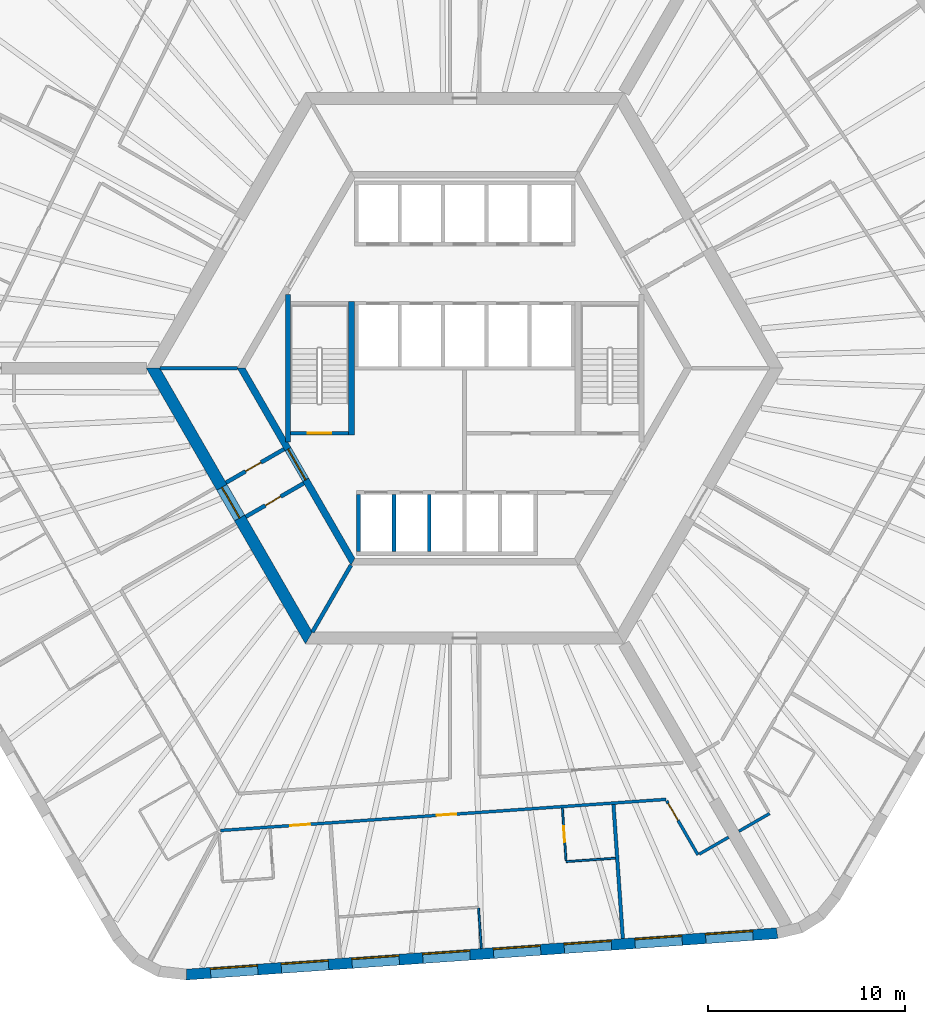
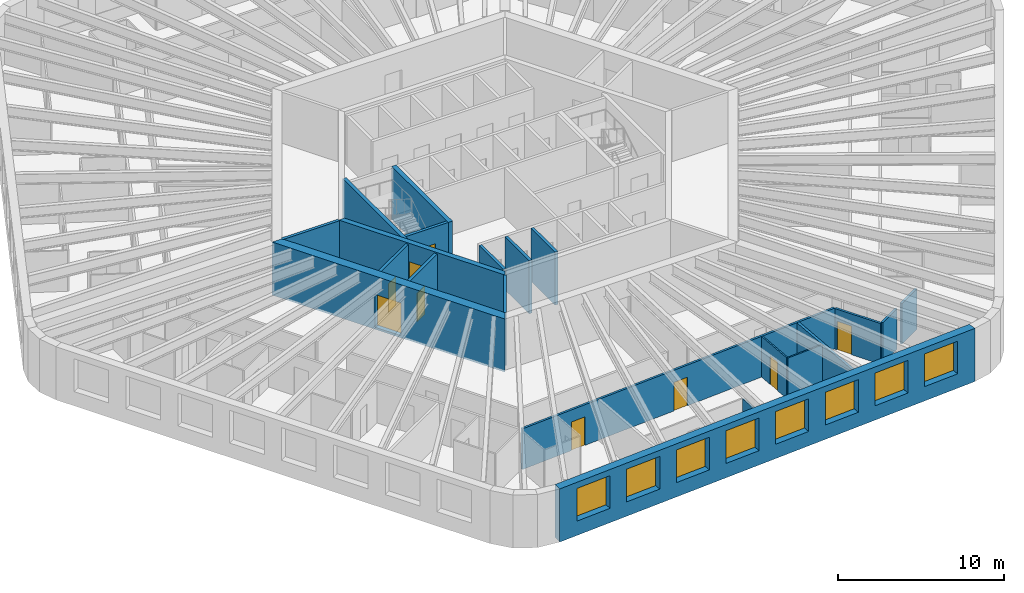
# One storey, part 4 of 12: 21 walls, 9 doors, 8 windows, 17 openings.
"""IFC4 building model written with IfcOpenShell, lengths in metres."""

from ifc_helpers import new_model, si_unit, direction, frame, frame_2d, origin, place, context, subcontext, project, spatial, polyline, rectangle, outline, extrude, material, layer, layer_set, type_object, element, fill, save


model = new_model("IFC4")

# Units and contexts
model_context = context("Model", 3, precision=1e-05, world=origin(), true_north=direction((0.0, 1.0)))
body_context = subcontext(model_context, "Body", "Model", "MODEL_VIEW")
ifc_project = project(units=[si_unit("LENGTHUNIT", "METRE"), si_unit("AREAUNIT", "SQUARE_METRE"), si_unit("VOLUMEUNIT", "CUBIC_METRE"), si_unit("PLANEANGLEUNIT", "RADIAN"), si_unit("MASSUNIT", "GRAM", prefix="KILO")], contexts=[model_context])

# Site, building, storey
site_placement = place(None, origin())
site = spatial("IfcSite", under=ifc_project, at=site_placement, CompositionType="ELEMENT")
building_placement = place(site_placement, origin())
building = spatial("IfcBuilding", under=site, at=building_placement, Name="Tarnside Tower", CompositionType="ELEMENT")
storey_placement = place(building_placement, frame((0.0, 0.0, 57.0)))
storey = spatial("IfcBuildingStorey", under=building, at=storey_placement, Name="L11", CompositionType="ELEMENT", Elevation=57.0)

# Wall
ifc_material_1 = material(Name="Gypsum board partition on steel studs", Category="steel")
ifc_layer_1 = layer(ifc_material_1, 0.10009765625)
ifc_layer_set_1 = layer_set([ifc_layer_1], Name="Bathroom wall 100")
wall_type_1 = type_object("IfcWallType", Name="Bathroom wall 100", PredefinedType="PARTITIONING", material=ifc_layer_set_1)
wall_1_placement = place(storey_placement, frame((7.65283203125, -24.876708984375, 0.0), z_axis=(0.0, 0.0, 1.0), x_axis=(-0.997565196586, -0.069740078583, 0.0)))
element("IfcWall", 1, at=wall_1_placement, inside=storey, type_object=wall_type_1, Name="Bathroom wall 02122", PredefinedType="PARTITIONING", context=body_context, shape_type="SweptSolid", body=[
    extrude(rectangle(XDim=2.510009765625, YDim=0.10009765625, at=frame_2d((1.2548828125, 0.0))), origin(), (0.0, 0.0, 1.0), 2.98779296875),
])

# Wall, opening, door
wall_2_placement = place(storey_placement, frame((5.1455078125, -25.001953125, 0.0), z_axis=(0.0, 0.0, 1.0), x_axis=(-0.069729221413, 0.997565955554, 0.0)))
wall_2 = element("IfcWall", 2, at=wall_2_placement, inside=storey, type_object=wall_type_1, Name="Bathroom wall 02123", PredefinedType="PARTITIONING", context=body_context, shape_type="SweptSolid", body=[
    extrude(rectangle(XDim=2.675048828125, YDim=0.10009765625, at=frame_2d((1.33740234375, 0.0))), origin(), (0.0, 0.0, 1.0), 2.98779296875),
])
opening_1_placement = place(wall_2_placement, frame((0.949951171875, 0.0, 0.0)))
opening_1 = element("IfcOpeningElement", 3, at=opening_1_placement, cuts=wall_2, Name="Opening D-B1", PredefinedType="OPENING", context=body_context, shape_type="SweptSolid", body=[
    extrude(rectangle(XDim=0.800048828125, YDim=2.10009765625, at=frame_2d((0.39990234375, 1.050048828125))), frame((0.0, 0.06005859375, 0.0), z_axis=(0.0, -1.0, 0.0), x_axis=(1.0, 0.0, 0.0)), (0.0, 0.0, 1.0), 0.1201171875),
])
ifc_material_2 = material(Name="Timber door leaf", Category="wood")
door_type_1 = type_object("IfcDoorType", Name="Bathroom door 800", OperationType="NOTDEFINED", PredefinedType="DOOR", material=ifc_material_2)
door_1_placement = place(opening_1_placement, origin())
door_1 = element("IfcDoor", 4, at=door_1_placement, inside=storey, type_object=door_type_1, Name="Bathroom door 02025", OperationType="SINGLE_SWING_RIGHT", OverallHeight=2.10009765625, OverallWidth=0.800048828125, PredefinedType="DOOR", context=body_context, shape_type="SweptSolid", body=[
    extrude(rectangle(XDim=0.800048828125, YDim=2.10009765625, at=frame_2d((0.39990234375, 1.050048828125))), frame((0.0, 0.02490234375, 0.0), z_axis=(0.0, -1.0, 0.0), x_axis=(1.0, 0.0, 0.0)), (0.0, 0.0, 1.0), 0.050048828125),
])
fill(opening_1, door_1)

ifc_material_3 = material(Name="Concrete C50/60", Category="concrete")
ifc_layer_2 = layer(ifc_material_3, 0.35009765625)
ifc_layer_set_2 = layer_set([ifc_layer_2], Name="Core block wall 350 C50/60")
wall_type_2 = type_object("IfcWallType", Name="Core block wall 350 C50/60", PredefinedType="SHEAR", material=ifc_layer_set_2)
wall_3_placement = place(storey_placement, frame((-11.344970703125, 0.0, -0.14990234375), z_axis=(0.0, 0.0, 1.0), x_axis=(0.499995046907, -0.866028263435, 0.0)))
wall_3 = element("IfcWall", 5, at=wall_3_placement, inside=storey, type_object=wall_type_2, Name="L11 core block wall face 3", PredefinedType="SHEAR", context=body_context, shape_type="SweptSolid", body=[
    extrude(outline(polyline([(-0.10107421875, -0.175048828125), (11.44580078125, -0.175048828125), (11.24365234375, 0.175048828125), (0.10107421875, 0.175048828125), (-0.10107421875, -0.175048828125)])), origin(), (0.0, 0.0, 1.0), 3.89990234375),
])
opening_2_placement = place(wall_3_placement, frame((4.74365234375, 0.0, 0.14990234375)))
opening_2 = element("IfcOpeningElement", 6, at=opening_2_placement, cuts=wall_3, Name="Opening CD-FFL", PredefinedType="OPENING", context=body_context, shape_type="SweptSolid", body=[
    extrude(rectangle(XDim=1.800048828125, YDim=2.39990234375, at=frame_2d((0.89990234375, 1.199951171875))), frame((0.0, 0.18505859375, 0.0), z_axis=(0.0, -1.0, 0.0), x_axis=(1.0, 0.0, 0.0)), (0.0, 0.0, 1.0), 0.3701171875),
])
ifc_material_4 = material(Name="Steel fire door", Category="steel")
door_type_2 = type_object("IfcDoorType", Name="Firefighting lobby double door FD60S 1800x2400", OperationType="NOTDEFINED", PredefinedType="DOOR", material=ifc_material_4)
door_2_placement = place(opening_2_placement, origin())
door_2 = element("IfcDoor", 7, at=door_2_placement, inside=storey, type_object=door_type_2, Name="L11 lobby block door P3", OperationType="DOUBLE_DOOR_SINGLE_SWING", OverallHeight=2.39990234375, OverallWidth=1.800048828125, PredefinedType="DOOR", context=body_context, shape_type="SweptSolid", body=[
    extrude(rectangle(XDim=1.800048828125, YDim=2.39990234375, at=frame_2d((0.89990234375, 1.199951171875))), frame((0.0, 0.02490234375, 0.0), z_axis=(0.0, -1.0, 0.0), x_axis=(1.0, 0.0, 0.0)), (0.0, 0.0, 1.0), 0.050048828125),
])
fill(opening_2, door_2)

ifc_material_5 = material(Name="Concrete C40/50", Category="concrete")
ifc_layer_3 = layer(ifc_material_5, 0.199951171875)
ifc_layer_set_3 = layer_set([ifc_layer_3], Name="Core room partition 200 C40/50")
wall_type_3 = type_object("IfcWallType", Name="Core room partition 200 C40/50", PredefinedType="PARTITIONING", material=ifc_layer_set_3)
wall_4_placement = place(storey_placement, frame((-8.1748046875, -5.841064453125, 0.0), z_axis=(0.0, 0.0, 1.0), x_axis=(-0.866020560687, -0.500008388397, 0.0)))
wall_4 = element("IfcWall", 8, at=wall_4_placement, inside=storey, type_object=wall_type_3, Name="L11 core partition AC2L", PredefinedType="PARTITIONING", context=body_context, shape_type="SweptSolid", body=[
    extrude(rectangle(XDim=3.39990234375, YDim=0.199951171875, at=frame_2d((1.699951171875, 0.0))), origin(), (0.0, 0.0, 1.0), 3.64990234375),
])
opening_3_placement = place(wall_4_placement, frame((1.349609375, 0.0, 0.0)))
opening_3 = element("IfcOpeningElement", 9, at=opening_3_placement, cuts=wall_4, Name="Opening CD-room", PredefinedType="OPENING", context=body_context, shape_type="SweptSolid", body=[
    extrude(rectangle(XDim=0.89990234375, YDim=2.10009765625, at=frame_2d((0.449951171875, 1.050048828125))), frame((0.0, 0.10986328125, 0.0), z_axis=(0.0, -1.0, 0.0), x_axis=(1.0, 0.0, 0.0)), (0.0, 0.0, 1.0), 0.219970703125),
])
door_type_3 = type_object("IfcDoorType", Name="Room door FD60 900x2100", OperationType="NOTDEFINED", PredefinedType="DOOR", material=ifc_material_4)
door_3_placement = place(opening_3_placement, origin())
door_3 = element("IfcDoor", 10, at=door_3_placement, inside=storey, type_object=door_type_3, Name="L11 core room door AX2L", OperationType="SINGLE_SWING_LEFT", OverallHeight=2.10009765625, OverallWidth=0.89990234375, PredefinedType="DOOR", context=body_context, shape_type="SweptSolid", body=[
    extrude(rectangle(XDim=0.89990234375, YDim=2.10009765625, at=frame_2d((0.449951171875, 1.050048828125))), frame((0.0, 0.02490234375, 0.0), z_axis=(0.0, -1.0, 0.0), x_axis=(1.0, 0.0, 0.0)), (0.0, 0.0, 1.0), 0.050048828125),
])
fill(opening_3, door_3)

wall_5_placement = place(storey_placement, frame((-9.1748046875, -4.10888671875, 0.0), z_axis=(0.0, 0.0, 1.0), x_axis=(-0.865989465428, -0.500062241894, 0.0)))
wall_5 = element("IfcWall", 11, at=wall_5_placement, inside=storey, type_object=wall_type_3, Name="L11 core partition AC2R", PredefinedType="PARTITIONING", context=body_context, shape_type="SweptSolid", body=[
    extrude(rectangle(XDim=3.39990234375, YDim=0.199951171875, at=frame_2d((1.699951171875, 0.0))), origin(), (0.0, 0.0, 1.0), 3.64990234375),
])
opening_4_placement = place(wall_5_placement, frame((1.3505859375, 0.0, 0.0)))
opening_4 = element("IfcOpeningElement", 12, at=opening_4_placement, cuts=wall_5, Name="Opening CD-room", PredefinedType="OPENING", context=body_context, shape_type="SweptSolid", body=[
    extrude(rectangle(XDim=0.89990234375, YDim=2.10009765625, at=frame_2d((0.449951171875, 1.050048828125))), frame((0.0, 0.10986328125, 0.0), z_axis=(0.0, -1.0, 0.0), x_axis=(1.0, 0.0, 0.0)), (0.0, 0.0, 1.0), 0.219970703125),
])
door_4_placement = place(opening_4_placement, origin())
door_4 = element("IfcDoor", 13, at=door_4_placement, inside=storey, type_object=door_type_3, Name="L11 core room door AX2R", OperationType="SINGLE_SWING_LEFT", OverallHeight=2.10009765625, OverallWidth=0.89990234375, PredefinedType="DOOR", context=body_context, shape_type="SweptSolid", body=[
    extrude(rectangle(XDim=0.89990234375, YDim=2.10009765625, at=frame_2d((0.449951171875, 1.050048828125))), frame((0.0, 0.02490234375, 0.0), z_axis=(0.0, -1.0, 0.0), x_axis=(1.0, 0.0, 0.0)), (0.0, 0.0, 1.0), 0.050048828125),
])
fill(opening_4, door_4)

ifc_material_6 = material(Name="Concrete C80/95", Category="concrete")
ifc_layer_4 = layer(ifc_material_6, 0.60009765625)
ifc_layer_set_4 = layer_set([ifc_layer_4], Name="Core wall Z1 600 C80/95")
wall_type_4 = type_object("IfcWallType", Name="Core wall Z1 600 C80/95", PredefinedType="SHEAR", material=ifc_layer_set_4)
wall_6_placement = place(storey_placement, frame((-15.8193359375, 0.0, -0.14990234375), z_axis=(0.0, 0.0, 1.0), x_axis=(0.499999880136, -0.866025472988, 0.0)))
wall_6 = element("IfcWall", 14, at=wall_6_placement, inside=storey, type_object=wall_type_4, Name="L11 core wall face 3", PredefinedType="SHEAR", context=body_context, shape_type="SweptSolid", body=[
    extrude(outline(polyline([(-0.17333984375, -0.300048828125), (15.99267578125, -0.300048828125), (15.64599609375, 0.300048828125), (0.17333984375, 0.300048828125), (-0.17333984375, -0.300048828125)])), origin(), (0.0, 0.0, 1.0), 3.89990234375),
])
opening_5_placement = place(wall_6_placement, frame((6.980712890625, 0.0, 0.14990234375)))
opening_5 = element("IfcOpeningElement", 15, at=opening_5_placement, cuts=wall_6, Name="Opening CD-FFL", PredefinedType="OPENING", context=body_context, shape_type="SweptSolid", body=[
    extrude(rectangle(XDim=1.800048828125, YDim=2.39990234375, at=frame_2d((0.89990234375, 1.199951171875))), frame((0.0, 0.31005859375, 0.0), z_axis=(0.0, -1.0, 0.0), x_axis=(1.0, 0.0, 0.0)), (0.0, 0.0, 1.0), 0.6201171875),
])
door_5_placement = place(opening_5_placement, origin())
door_5 = element("IfcDoor", 16, at=door_5_placement, inside=storey, type_object=door_type_2, Name="L11 core door P3", OperationType="DOUBLE_DOOR_SINGLE_SWING", OverallHeight=2.39990234375, OverallWidth=1.800048828125, PredefinedType="DOOR", context=body_context, shape_type="SweptSolid", body=[
    extrude(rectangle(XDim=1.800048828125, YDim=2.39990234375, at=frame_2d((0.89990234375, 1.199951171875))), frame((0.0, 0.02490234375, 0.0), z_axis=(0.0, -1.0, 0.0), x_axis=(1.0, 0.0, 0.0)), (0.0, 0.0, 1.0), 0.050048828125),
])
fill(opening_5, door_5)

# Wall, openings, doors
ifc_layer_5 = layer(ifc_material_1, 0.14990234375)
ifc_layer_set_5 = layer_set([ifc_layer_5], Name="Corridor wall 150 EI 60")
wall_type_5 = type_object("IfcWallType", Name="Corridor wall 150 EI 60", PredefinedType="PARTITIONING", material=ifc_layer_set_5)
wall_7_placement = place(storey_placement, frame((-12.400146484375, -23.47216796875, 0.0), z_axis=(0.0, 0.0, 1.0), x_axis=(0.997564133303, 0.069755286163, 0.0)))
wall_7 = element("IfcWall", 17, at=wall_7_placement, inside=storey, type_object=wall_type_5, Name="Corridor wall 02032", PredefinedType="PARTITIONING", context=body_context, shape_type="SweptSolid", body=[
    extrude(rectangle(XDim=22.669189453125, YDim=0.14990234375, at=frame_2d((11.33447265625, 0.0))), origin(), (0.0, 0.0, 1.0), 2.98779296875),
])
opening_6_placement = place(wall_7_placement, frame((3.556396484375, 0.0, 0.0)))
opening_6 = element("IfcOpeningElement", 18, at=opening_6_placement, cuts=wall_7, Name="Opening D-E1", PredefinedType="OPENING", context=body_context, shape_type="SweptSolid", body=[
    extrude(rectangle(XDim=1.0, YDim=2.10009765625, at=frame_2d((0.5, 1.050048828125))), frame((0.0, 0.0849609375, 0.0), z_axis=(0.0, -1.0, 0.0), x_axis=(1.0, 0.0, 0.0)), (0.0, 0.0, 1.0), 0.169921875),
])
opening_7_placement = place(wall_7_placement, frame((10.996337890625, 0.0, 0.0)))
opening_7 = element("IfcOpeningElement", 19, at=opening_7_placement, cuts=wall_7, Name="Opening D-E1", PredefinedType="OPENING", context=body_context, shape_type="SweptSolid", body=[
    extrude(rectangle(XDim=1.0, YDim=2.10009765625, at=frame_2d((0.5, 1.050048828125))), frame((0.0, 0.0849609375, 0.0), z_axis=(0.0, -1.0, 0.0), x_axis=(1.0, 0.0, 0.0)), (0.0, 0.0, 1.0), 0.169921875),
])
door_type_4 = type_object("IfcDoorType", Name="Unit entrance door 1000 FD30S", OperationType="NOTDEFINED", PredefinedType="DOOR", material=ifc_material_2)
door_6_placement = place(opening_6_placement, origin())
door_6 = element("IfcDoor", 20, at=door_6_placement, inside=storey, type_object=door_type_4, Name="Unit door 02022", OperationType="SINGLE_SWING_LEFT", OverallHeight=2.10009765625, OverallWidth=1.0, PredefinedType="DOOR", context=body_context, shape_type="SweptSolid", body=[
    extrude(rectangle(XDim=1.0, YDim=2.10009765625, at=frame_2d((0.5, 1.050048828125))), frame((0.0, 0.02490234375, 0.0), z_axis=(0.0, -1.0, 0.0), x_axis=(1.0, 0.0, 0.0)), (0.0, 0.0, 1.0), 0.050048828125),
])
fill(opening_6, door_6)
door_7_placement = place(opening_7_placement, origin())
door_7 = element("IfcDoor", 21, at=door_7_placement, inside=storey, type_object=door_type_4, Name="Unit door 02024", OperationType="SINGLE_SWING_RIGHT", OverallHeight=2.10009765625, OverallWidth=1.0, PredefinedType="DOOR", context=body_context, shape_type="SweptSolid", body=[
    extrude(rectangle(XDim=1.0, YDim=2.10009765625, at=frame_2d((0.5, 1.050048828125))), frame((0.0, 0.02490234375, 0.0), z_axis=(0.0, -1.0, 0.0), x_axis=(1.0, 0.0, 0.0)), (0.0, 0.0, 1.0), 0.050048828125),
])
fill(opening_7, door_7)

# Wall, opening, door
wall_8_placement = place(storey_placement, frame((10.255615234375, -21.963134765625, 0.0), z_axis=(0.0, 0.0, 1.0), x_axis=(0.499980071345, -0.866036909293, 0.0)))
wall_8 = element("IfcWall", 22, at=wall_8_placement, inside=storey, type_object=wall_type_5, Name="Corridor wall 02037", PredefinedType="PARTITIONING", context=body_context, shape_type="SweptSolid", body=[
    extrude(rectangle(XDim=3.172119140625, YDim=0.14990234375, at=frame_2d((1.5859375, 0.0))), origin(), (0.0, 0.0, 1.0), 2.98779296875),
])
opening_8_placement = place(wall_8_placement, frame((0.14990234375, 0.0, 0.0)))
opening_8 = element("IfcOpeningElement", 23, at=opening_8_placement, cuts=wall_8, Name="Opening D-E1", PredefinedType="OPENING", context=body_context, shape_type="SweptSolid", body=[
    extrude(rectangle(XDim=1.0, YDim=2.10009765625, at=frame_2d((0.5, 1.050048828125))), frame((0.0, 0.0849609375, 0.0), z_axis=(0.0, -1.0, 0.0), x_axis=(1.0, 0.0, 0.0)), (0.0, 0.0, 1.0), 0.169921875),
])
door_8_placement = place(opening_8_placement, origin())
door_8 = element("IfcDoor", 24, at=door_8_placement, inside=storey, type_object=door_type_4, Name="Unit door 02027", OperationType="SINGLE_SWING_RIGHT", OverallHeight=2.10009765625, OverallWidth=1.0, PredefinedType="DOOR", context=body_context, shape_type="SweptSolid", body=[
    extrude(rectangle(XDim=1.0, YDim=2.10009765625, at=frame_2d((0.5, 1.050048828125))), frame((0.0, 0.02490234375, 0.0), z_axis=(0.0, -1.0, 0.0), x_axis=(1.0, 0.0, 0.0)), (0.0, 0.0, 1.0), 0.050048828125),
])
fill(opening_8, door_8)

# Walls
wall_9_placement = place(storey_placement, frame((11.906494140625, -24.672607421875, 0.0), z_axis=(0.0, 0.0, 1.0), x_axis=(0.866013532718, 0.500020560727, 0.0)))
element("IfcWall", 25, at=wall_9_placement, inside=storey, type_object=wall_type_5, Name="Corridor wall 02038", PredefinedType="PARTITIONING", context=body_context, shape_type="SweptSolid", body=[
    extrude(rectangle(XDim=1.72509765625, YDim=0.14990234375, at=frame_2d((0.862548828125, 0.0))), origin(), (0.0, 0.0, 1.0), 2.98779296875),
])
wall_10_placement = place(storey_placement, frame((13.919921875, -23.510009765625, 0.0), z_axis=(0.0, 0.0, 1.0), x_axis=(0.866047807691, 0.499961193289, 0.0)))
element("IfcWall", 26, at=wall_10_placement, inside=storey, type_object=wall_type_5, Name="Corridor wall 02048", PredefinedType="PARTITIONING", context=body_context, shape_type="SweptSolid", body=[
    extrude(rectangle(XDim=1.800048828125, YDim=0.14990234375, at=frame_2d((0.89990234375, 0.0))), origin(), (0.0, 0.0, 1.0), 2.98779296875),
])
ifc_layer_6 = layer(ifc_material_1, 0.179931640625)
ifc_layer_set_6 = layer_set([ifc_layer_6], Name="Demising wall 180 EI 60")
wall_type_6 = type_object("IfcWallType", Name="Demising wall 180 EI 60", PredefinedType="PARTITIONING", material=ifc_layer_set_6)
wall_11_placement = place(storey_placement, frame((8.028564453125, -28.96044921875, 0.0), z_axis=(0.0, 0.0, 1.0), x_axis=(-0.069754729296, 0.997564172242, 0.0)))
element("IfcWall", 27, at=wall_11_placement, inside=storey, type_object=wall_type_6, Name="Demising wall 02126", PredefinedType="PARTITIONING", context=body_context, shape_type="SweptSolid", body=[
    extrude(rectangle(XDim=6.824951171875, YDim=0.179931640625, at=frame_2d((3.41259765625, 0.0))), origin(), (0.0, 0.0, 1.0), 2.98779296875),
])
ifc_layer_7 = layer(ifc_material_5, 0.199951171875)
ifc_layer_set_7 = layer_set([ifc_layer_7], Name="Lift shaft wall 200 C40/50")
wall_type_7 = type_object("IfcWallType", Name="Lift shaft wall 200 C40/50", PredefinedType="SHEAR", material=ifc_layer_set_7)
for number, where, z_axis, x_axis, name in (
    (28, (-5.39990234375, -9.300048828125, -0.25), (0.0, 0.0, 1.0), (0.0, 1.0, 0.0), "L11 lift shaft partition R41"),
    (29, (-3.60009765625, -9.300048828125, -0.25), (0.0, 0.0, 1.0), (0.0, 1.0, 0.0), "L11 lift shaft partition R42"),
    (30, (-1.800048828125, -9.300048828125, -0.25), (0.0, 0.0, 1.0), (0.0, 1.0, 0.0), "L11 lift shaft partition R43"),
):
    element("IfcWall", number, at=place(storey_placement, frame(where, z_axis=z_axis, x_axis=x_axis)), inside=storey, type_object=wall_type_7, Name=name, PredefinedType="SHEAR", context=body_context, shape_type="SweptSolid", body=[
        extrude(rectangle(XDim=2.900146484375, YDim=0.199951171875, at=frame_2d((1.4501953125, 0.0))), origin(), (0.0, 0.0, 1.0), 3.89990234375),
    ])
wall_12_placement = place(storey_placement, frame((-11.547119140625, 0.0, -0.14990234375), z_axis=(0.0, 0.0, 1.0), x_axis=(-1.0, 0.0, 0.0)))
element("IfcWall", 31, at=wall_12_placement, inside=storey, type_object=wall_type_7, Name="L11 core partition AR180", PredefinedType="SHEAR", context=body_context, shape_type="SweptSolid", body=[
    extrude(rectangle(XDim=3.92578125, YDim=0.199951171875, at=frame_2d((1.962890625, 0.0))), origin(), (0.0, 0.0, 1.0), 3.89990234375),
])
wall_13_placement = place(storey_placement, frame((-5.7734375, -10.0, -0.14990234375), z_axis=(0.0, 0.0, 1.0), x_axis=(-0.500038251005, -0.86600331843, 0.0)))
element("IfcWall", 32, at=wall_13_placement, inside=storey, type_object=wall_type_7, Name="L11 core partition AR240", PredefinedType="SHEAR", context=body_context, shape_type="SweptSolid", body=[
    extrude(rectangle(XDim=3.926025390625, YDim=0.199951171875, at=frame_2d((1.962890625, 0.0))), origin(), (0.0, 0.0, 1.0), 3.89990234375),
])

# Wall, opening, door
wall_14_placement = place(storey_placement, frame((-8.85009765625, -3.300048828125, -0.25), z_axis=(0.0, 0.0, 1.0), x_axis=(1.0, 0.0, 0.0)))
wall_14 = element("IfcWall", 33, at=wall_14_placement, inside=storey, type_object=wall_type_7, Name="L11 stair 2 enclosure cap wall s", PredefinedType="SHEAR", context=body_context, shape_type="SweptSolid", body=[
    extrude(rectangle(XDim=2.9501953125, YDim=0.199951171875, at=frame_2d((1.47509765625, 0.0))), origin(), (0.0, 0.0, 1.0), 3.89990234375),
])
opening_9_placement = place(wall_14_placement, frame((0.875, 0.0, 0.25)))
opening_9 = element("IfcOpeningElement", 34, at=opening_9_placement, cuts=wall_14, Name="Opening CD-STR", PredefinedType="OPENING", context=body_context, shape_type="SweptSolid", body=[
    extrude(rectangle(XDim=1.199951171875, YDim=2.39990234375, at=frame_2d((0.60009765625, 1.199951171875))), frame((0.0, 0.10986328125, 0.0), z_axis=(0.0, -1.0, 0.0), x_axis=(1.0, 0.0, 0.0)), (0.0, 0.0, 1.0), 0.219970703125),
])
door_type_5 = type_object("IfcDoorType", Name="Stair door FD60S 1200x2400", OperationType="NOTDEFINED", PredefinedType="DOOR", material=ifc_material_4)
door_9_placement = place(opening_9_placement, origin())
door_9 = element("IfcDoor", 35, at=door_9_placement, inside=storey, type_object=door_type_5, Name="L11 stair 2 door", OperationType="SINGLE_SWING_LEFT", OverallHeight=2.39990234375, OverallWidth=1.199951171875, PredefinedType="DOOR", context=body_context, shape_type="SweptSolid", body=[
    extrude(rectangle(XDim=1.199951171875, YDim=2.39990234375, at=frame_2d((0.60009765625, 1.199951171875))), frame((0.0, 0.02490234375, 0.0), z_axis=(0.0, -1.0, 0.0), x_axis=(1.0, 0.0, 0.0)), (0.0, 0.0, 1.0), 0.050048828125),
])
fill(opening_9, door_9)

# Walls
ifc_layer_8 = layer(ifc_material_1, 0.10009765625)
ifc_layer_set_8 = layer_set([ifc_layer_8], Name="Partition 100")
wall_type_8 = type_object("IfcWallType", Name="Partition 100", PredefinedType="PARTITIONING", material=ifc_layer_set_8)
wall_15_placement = place(storey_placement, frame((0.703125, -27.417724609375, 0.0), z_axis=(0.0, 0.0, 1.0), x_axis=(0.069791202247, -0.997561621199, 0.0)))
element("IfcWall", 36, at=wall_15_placement, inside=storey, type_object=wall_type_8, Name="Partition wall 02125", PredefinedType="PARTITIONING", context=body_context, shape_type="SweptSolid", body=[
    extrude(rectangle(XDim=2.0498046875, YDim=0.10009765625, at=frame_2d((1.02490234375, 0.0))), origin(), (0.0, 0.0, 1.0), 2.98779296875),
])
ifc_layer_9 = layer(ifc_material_5, 0.25)
ifc_layer_set_9 = layer_set([ifc_layer_9], Name="Stair enclosure wall 250 C40/50")
wall_type_9 = type_object("IfcWallType", Name="Stair enclosure wall 250 C40/50", PredefinedType="SHEAR", material=ifc_layer_set_9)
wall_16_placement = place(storey_placement, frame((-8.97509765625, -3.7548828125, -0.25), z_axis=(0.0, 0.0, 1.0), x_axis=(0.0, 1.0, 0.0)))
element("IfcWall", 37, at=wall_16_placement, inside=storey, type_object=wall_type_9, Name="L11 stair 2 enclosure wall outer", PredefinedType="SHEAR", context=body_context, shape_type="SweptSolid", body=[
    extrude(rectangle(XDim=7.509765625, YDim=0.25, at=frame_2d((3.7548828125, 0.0))), origin(), (0.0, 0.0, 1.0), 3.89990234375),
])
ifc_layer_10 = layer(ifc_material_5, 0.300048828125)
ifc_layer_set_10 = layer_set([ifc_layer_10], Name="Stair enclosure wall 300 C40/50")
wall_type_10 = type_object("IfcWallType", Name="Stair enclosure wall 300 C40/50", PredefinedType="SHEAR", material=ifc_layer_set_10)
wall_17_placement = place(storey_placement, frame((-5.75, -3.39990234375, -0.25), z_axis=(0.0, 0.0, 1.0), x_axis=(0.0, 1.0, 0.0)))
element("IfcWall", 38, at=wall_17_placement, inside=storey, type_object=wall_type_10, Name="L11 stair 2 enclosure wall inner", PredefinedType="SHEAR", context=body_context, shape_type="SweptSolid", body=[
    extrude(rectangle(XDim=6.7998046875, YDim=0.300048828125, at=frame_2d((3.39990234375, 0.0))), origin(), (0.0, 0.0, 1.0), 3.89990234375),
])

# Wall, openings, windows
ifc_material_7 = material(Name="Facing brick", Category="masonry")
ifc_layer_11 = layer(ifc_material_7, 0.10205078125)
ifc_material_8 = material(Name="Concrete C60/75 precast", Category="concrete")
ifc_layer_12 = layer(ifc_material_8, 0.347900390625)
ifc_material_9 = material(Name="Mineral wool insulation")
ifc_layer_13 = layer(ifc_material_9, 0.10009765625)
ifc_layer_set_11 = layer_set([ifc_layer_11, ifc_layer_12, ifc_layer_13], Name="Tube wall 550 brick faced")
wall_type_11 = type_object("IfcWallType", Name="Tube wall 550 brick faced", PredefinedType="SOLIDWALL", material=ifc_layer_set_11)
wall_18_placement = place(storey_placement, frame((-14.133544921875, -30.785888671875, -0.14990234375), z_axis=(0.0, 0.0, 1.0), x_axis=(0.997564037441, 0.069756657061, 0.0)))
wall_18 = element("IfcWall", 39, at=wall_18_placement, inside=storey, type_object=wall_type_11, Name="Tube wall L11 F4 flush 12", PredefinedType="SOLIDWALL", context=body_context, shape_type="SweptSolid", body=[
    extrude(outline(polyline([(-0.025634765625, -0.27490234375), (30.093505859375, -0.27490234375), (30.048583984375, 0.27490234375), (0.025634765625, 0.27490234375), (-0.025634765625, -0.27490234375)])), origin(), (0.0, 0.0, 1.0), 3.89990234375),
])
opening_10_placement = place(wall_18_placement, frame((1.235595703125, 0.0, 1.050048828125)))
opening_10 = element("IfcOpeningElement", 40, at=opening_10_placement, cuts=wall_18, Name="Opening WH", PredefinedType="OPENING", context=body_context, shape_type="SweptSolid", body=[
    extrude(rectangle(XDim=2.39990234375, YDim=2.39990234375, at=frame_2d((1.199951171875, 1.199951171875))), frame((0.0, 0.28515625, 0.0), z_axis=(0.0, -1.0, 0.0), x_axis=(1.0, 0.0, 0.0)), (0.0, 0.0, 1.0), 0.570068359375),
])
opening_11_placement = place(wall_18_placement, frame((4.83544921875, 0.0, 1.050048828125)))
opening_11 = element("IfcOpeningElement", 41, at=opening_11_placement, cuts=wall_18, Name="Opening WH", PredefinedType="OPENING", context=body_context, shape_type="SweptSolid", body=[
    extrude(rectangle(XDim=2.39990234375, YDim=2.39990234375, at=frame_2d((1.199951171875, 1.199951171875))), frame((0.0, 0.28515625, 0.0), z_axis=(0.0, -1.0, 0.0), x_axis=(1.0, 0.0, 0.0)), (0.0, 0.0, 1.0), 0.570068359375),
])
opening_12_placement = place(wall_18_placement, frame((8.435546875, 0.0, 1.050048828125)))
opening_12 = element("IfcOpeningElement", 42, at=opening_12_placement, cuts=wall_18, Name="Opening WH", PredefinedType="OPENING", context=body_context, shape_type="SweptSolid", body=[
    extrude(rectangle(XDim=2.39990234375, YDim=2.39990234375, at=frame_2d((1.199951171875, 1.199951171875))), frame((0.0, 0.28515625, 0.0), z_axis=(0.0, -1.0, 0.0), x_axis=(1.0, 0.0, 0.0)), (0.0, 0.0, 1.0), 0.570068359375),
])
opening_13_placement = place(wall_18_placement, frame((12.035400390625, 0.0, 1.050048828125)))
opening_13 = element("IfcOpeningElement", 43, at=opening_13_placement, cuts=wall_18, Name="Opening WH", PredefinedType="OPENING", context=body_context, shape_type="SweptSolid", body=[
    extrude(rectangle(XDim=2.39990234375, YDim=2.39990234375, at=frame_2d((1.199951171875, 1.199951171875))), frame((0.0, 0.28515625, 0.0), z_axis=(0.0, -1.0, 0.0), x_axis=(1.0, 0.0, 0.0)), (0.0, 0.0, 1.0), 0.570068359375),
])
opening_14_placement = place(wall_18_placement, frame((15.635498046875, 0.0, 1.050048828125)))
opening_14 = element("IfcOpeningElement", 44, at=opening_14_placement, cuts=wall_18, Name="Opening WH", PredefinedType="OPENING", context=body_context, shape_type="SweptSolid", body=[
    extrude(rectangle(XDim=2.39990234375, YDim=2.39990234375, at=frame_2d((1.199951171875, 1.199951171875))), frame((0.0, 0.28515625, 0.0), z_axis=(0.0, -1.0, 0.0), x_axis=(1.0, 0.0, 0.0)), (0.0, 0.0, 1.0), 0.570068359375),
])
opening_15_placement = place(wall_18_placement, frame((19.235595703125, 0.0, 1.050048828125)))
opening_15 = element("IfcOpeningElement", 45, at=opening_15_placement, cuts=wall_18, Name="Opening WH", PredefinedType="OPENING", context=body_context, shape_type="SweptSolid", body=[
    extrude(rectangle(XDim=2.39990234375, YDim=2.39990234375, at=frame_2d((1.199951171875, 1.199951171875))), frame((0.0, 0.28515625, 0.0), z_axis=(0.0, -1.0, 0.0), x_axis=(1.0, 0.0, 0.0)), (0.0, 0.0, 1.0), 0.570068359375),
])
opening_16_placement = place(wall_18_placement, frame((22.83544921875, 0.0, 1.050048828125)))
opening_16 = element("IfcOpeningElement", 46, at=opening_16_placement, cuts=wall_18, Name="Opening WH", PredefinedType="OPENING", context=body_context, shape_type="SweptSolid", body=[
    extrude(rectangle(XDim=2.39990234375, YDim=2.39990234375, at=frame_2d((1.199951171875, 1.199951171875))), frame((0.0, 0.28515625, 0.0), z_axis=(0.0, -1.0, 0.0), x_axis=(1.0, 0.0, 0.0)), (0.0, 0.0, 1.0), 0.570068359375),
])
opening_17_placement = place(wall_18_placement, frame((26.435546875, 0.0, 1.050048828125)))
opening_17 = element("IfcOpeningElement", 47, at=opening_17_placement, cuts=wall_18, Name="Opening WH", PredefinedType="OPENING", context=body_context, shape_type="SweptSolid", body=[
    extrude(rectangle(XDim=2.39990234375, YDim=2.39990234375, at=frame_2d((1.199951171875, 1.199951171875))), frame((0.0, 0.28515625, 0.0), z_axis=(0.0, -1.0, 0.0), x_axis=(1.0, 0.0, 0.0)), (0.0, 0.0, 1.0), 0.570068359375),
])
ifc_material_10 = material(Name="Aluminium-framed double glazing", Category="aluminium")
window_type = type_object("IfcWindowType", Name="Hotel window 2400 x 2400", PartitioningType="DOUBLE_PANEL_VERTICAL", PredefinedType="WINDOW", material=ifc_material_10)
window_1_placement = place(opening_10_placement, frame((0.0, 0.205078125, 0.0)))
window_1 = element("IfcWindow", 48, at=window_1_placement, inside=storey, type_object=window_type, Name="E.WN.L11.F4.00", OverallHeight=2.39990234375, OverallWidth=2.39990234375, PartitioningType="DOUBLE_PANEL_VERTICAL", PredefinedType="WINDOW", context=body_context, shape_type="SweptSolid", body=[
    extrude(rectangle(XDim=2.39990234375, YDim=2.39990234375, at=frame_2d((1.199951171875, 1.199951171875))), frame((0.0, 0.030029296875, 0.0), z_axis=(0.0, -1.0, 0.0), x_axis=(1.0, 0.0, 0.0)), (0.0, 0.0, 1.0), 0.06005859375),
])
fill(opening_10, window_1)
window_2_placement = place(opening_11_placement, frame((0.0, 0.205078125, 0.0)))
window_2 = element("IfcWindow", 49, at=window_2_placement, inside=storey, type_object=window_type, Name="E.WN.L11.F4.01", OverallHeight=2.39990234375, OverallWidth=2.39990234375, PartitioningType="DOUBLE_PANEL_VERTICAL", PredefinedType="WINDOW", context=body_context, shape_type="SweptSolid", body=[
    extrude(rectangle(XDim=2.39990234375, YDim=2.39990234375, at=frame_2d((1.199951171875, 1.199951171875))), frame((0.0, 0.030029296875, 0.0), z_axis=(0.0, -1.0, 0.0), x_axis=(1.0, 0.0, 0.0)), (0.0, 0.0, 1.0), 0.06005859375),
])
fill(opening_11, window_2)
window_3_placement = place(opening_12_placement, frame((0.0, 0.205078125, 0.0)))
window_3 = element("IfcWindow", 50, at=window_3_placement, inside=storey, type_object=window_type, Name="E.WN.L11.F4.02", OverallHeight=2.39990234375, OverallWidth=2.39990234375, PartitioningType="DOUBLE_PANEL_VERTICAL", PredefinedType="WINDOW", context=body_context, shape_type="SweptSolid", body=[
    extrude(rectangle(XDim=2.39990234375, YDim=2.39990234375, at=frame_2d((1.199951171875, 1.199951171875))), frame((0.0, 0.030029296875, 0.0), z_axis=(0.0, -1.0, 0.0), x_axis=(1.0, 0.0, 0.0)), (0.0, 0.0, 1.0), 0.06005859375),
])
fill(opening_12, window_3)
window_4_placement = place(opening_13_placement, frame((0.0, 0.205078125, 0.0)))
window_4 = element("IfcWindow", 51, at=window_4_placement, inside=storey, type_object=window_type, Name="E.WN.L11.F4.03", OverallHeight=2.39990234375, OverallWidth=2.39990234375, PartitioningType="DOUBLE_PANEL_VERTICAL", PredefinedType="WINDOW", context=body_context, shape_type="SweptSolid", body=[
    extrude(rectangle(XDim=2.39990234375, YDim=2.39990234375, at=frame_2d((1.199951171875, 1.199951171875))), frame((0.0, 0.030029296875, 0.0), z_axis=(0.0, -1.0, 0.0), x_axis=(1.0, 0.0, 0.0)), (0.0, 0.0, 1.0), 0.06005859375),
])
fill(opening_13, window_4)
window_5_placement = place(opening_14_placement, frame((0.0, 0.205078125, 0.0)))
window_5 = element("IfcWindow", 52, at=window_5_placement, inside=storey, type_object=window_type, Name="E.WN.L11.F4.04", OverallHeight=2.39990234375, OverallWidth=2.39990234375, PartitioningType="DOUBLE_PANEL_VERTICAL", PredefinedType="WINDOW", context=body_context, shape_type="SweptSolid", body=[
    extrude(rectangle(XDim=2.39990234375, YDim=2.39990234375, at=frame_2d((1.199951171875, 1.199951171875))), frame((0.0, 0.030029296875, 0.0), z_axis=(0.0, -1.0, 0.0), x_axis=(1.0, 0.0, 0.0)), (0.0, 0.0, 1.0), 0.06005859375),
])
fill(opening_14, window_5)
window_6_placement = place(opening_15_placement, frame((0.0, 0.205078125, 0.0)))
window_6 = element("IfcWindow", 53, at=window_6_placement, inside=storey, type_object=window_type, Name="E.WN.L11.F4.05", OverallHeight=2.39990234375, OverallWidth=2.39990234375, PartitioningType="DOUBLE_PANEL_VERTICAL", PredefinedType="WINDOW", context=body_context, shape_type="SweptSolid", body=[
    extrude(rectangle(XDim=2.39990234375, YDim=2.39990234375, at=frame_2d((1.199951171875, 1.199951171875))), frame((0.0, 0.030029296875, 0.0), z_axis=(0.0, -1.0, 0.0), x_axis=(1.0, 0.0, 0.0)), (0.0, 0.0, 1.0), 0.06005859375),
])
fill(opening_15, window_6)
window_7_placement = place(opening_16_placement, frame((0.0, 0.205078125, 0.0)))
window_7 = element("IfcWindow", 54, at=window_7_placement, inside=storey, type_object=window_type, Name="E.WN.L11.F4.06", OverallHeight=2.39990234375, OverallWidth=2.39990234375, PartitioningType="DOUBLE_PANEL_VERTICAL", PredefinedType="WINDOW", context=body_context, shape_type="SweptSolid", body=[
    extrude(rectangle(XDim=2.39990234375, YDim=2.39990234375, at=frame_2d((1.199951171875, 1.199951171875))), frame((0.0, 0.030029296875, 0.0), z_axis=(0.0, -1.0, 0.0), x_axis=(1.0, 0.0, 0.0)), (0.0, 0.0, 1.0), 0.06005859375),
])
fill(opening_16, window_7)
window_8_placement = place(opening_17_placement, frame((0.0, 0.205078125, 0.0)))
window_8 = element("IfcWindow", 55, at=window_8_placement, inside=storey, type_object=window_type, Name="E.WN.L11.F4.07", OverallHeight=2.39990234375, OverallWidth=2.39990234375, PartitioningType="DOUBLE_PANEL_VERTICAL", PredefinedType="WINDOW", context=body_context, shape_type="SweptSolid", body=[
    extrude(rectangle(XDim=2.39990234375, YDim=2.39990234375, at=frame_2d((1.199951171875, 1.199951171875))), frame((0.0, 0.030029296875, 0.0), z_axis=(0.0, -1.0, 0.0), x_axis=(1.0, 0.0, 0.0)), (0.0, 0.0, 1.0), 0.06005859375),
])
fill(opening_17, window_8)

save(model, "model.ifc")
